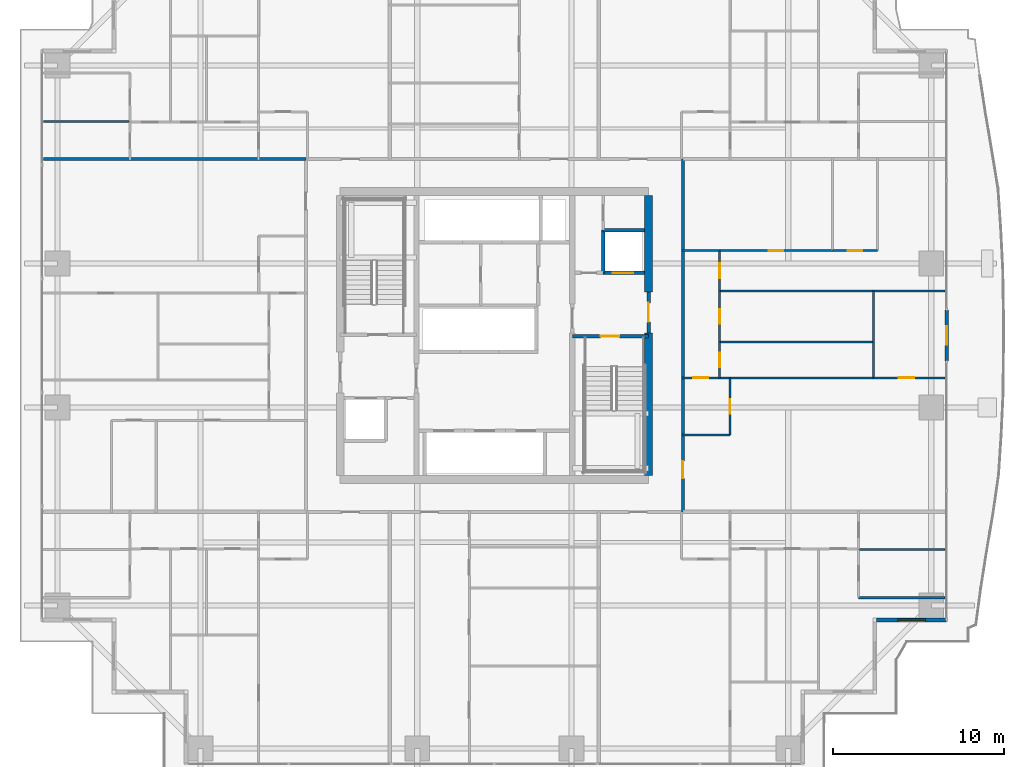
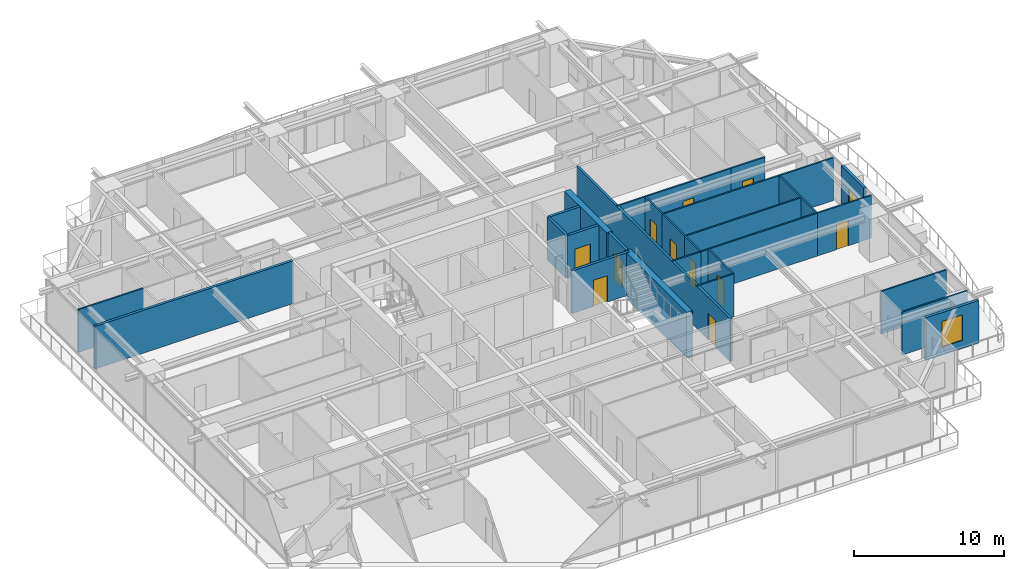
# One storey, part 29 of 37: 28 walls, 13 doors, 1 window, 14 openings.
"""IFC4 building model written with IfcOpenShell, lengths in metres."""

from ifc_helpers import new_model, si_unit, direction, frame, frame_2d, origin, place, context, subcontext, project, spatial, rectangle, extrude, source, transform, mapped, material, layer, layer_set, type_object, element, fill, save


model = new_model("IFC4")

# Units and contexts
model_context = context("Model", 3, precision=1e-05, world=origin(), true_north=direction((0.0, 1.0)))
body_context = subcontext(model_context, "Body", "Model", "MODEL_VIEW")
ifc_project = project(units=[si_unit("LENGTHUNIT", "METRE"), si_unit("AREAUNIT", "SQUARE_METRE"), si_unit("VOLUMEUNIT", "CUBIC_METRE"), si_unit("PLANEANGLEUNIT", "RADIAN"), si_unit("MASSUNIT", "GRAM", prefix="KILO")], contexts=[model_context])

# Site, building, storey
site_placement = place(None, origin())
site = spatial("IfcSite", under=ifc_project, at=site_placement, CompositionType="ELEMENT")
building_placement = place(site_placement, origin())
building = spatial("IfcBuilding", under=site, at=building_placement, Name="Serunith Strait Residences", CompositionType="ELEMENT")
storey_placement = place(building_placement, frame((0.0, 0.0, 34.199951171875)))
storey = spatial("IfcBuildingStorey", under=building, at=storey_placement, Name="L07", CompositionType="ELEMENT", Elevation=34.199951171875)

# Wall, opening, window
ifc_material_1 = material(Name="Pale-Champagne Aluminium Insulated Panel", Category="aluminium")
ifc_layer_1 = layer(ifc_material_1, 0.219970703125, Name="Pale-Champagne Aluminium Insulated Panel")
ifc_layer_set_1 = layer_set([ifc_layer_1], Name="Pale-Champagne Aluminium Insulated Panel")
wall_type_1 = type_object("IfcWallType", Name="EW-ALUM-220", PredefinedType="ELEMENTEDWALL", material=ifc_layer_set_1)
wall_1_placement = place(storey_placement, frame((54.7099609375, 8.60009765625, 0.0), z_axis=(0.0, 0.0, 1.0), x_axis=(1.0, 0.0, 0.0)))
wall_1 = element("IfcWall", 1, at=wall_1_placement, inside=storey, type_object=wall_type_1, Name="L07 Girih Serrated Corner Wall 05", PredefinedType="ELEMENTEDWALL", context=body_context, shape_type="SweptSolid", body=[
    extrude(rectangle(XDim=4.090087890625, YDim=0.219970703125, at=frame_2d((2.044921875, 0.0))), origin(), (0.0, 0.0, 1.0), 3.47509765625),
])
opening_1_placement = place(wall_1_placement, frame((1.2451171875, 0.0, 0.64990234375)))
opening_1 = element("IfcOpeningElement", 2, at=opening_1_placement, cuts=wall_1, Name="Opening W-02", PredefinedType="OPENING", context=body_context, shape_type="SweptSolid", body=[
    extrude(rectangle(XDim=1.60009765625, YDim=2.10009765625, at=frame_2d((0.800048828125, 1.050048828125))), frame((0.0, 0.1201171875, 0.0), z_axis=(0.0, -1.0, 0.0), x_axis=(1.0, 0.0, 0.0)), (0.0, 0.0, 1.0), 0.239990234375),
])
ifc_material_2 = material(Name="Ceramic-Fritted Operable Aluminium Window Glass", Category="aluminium")
window_type = type_object("IfcWindowType", Name="WIN-C2", PartitioningType="DOUBLE_PANEL_VERTICAL", PredefinedType="WINDOW", material=ifc_material_2)
shared_shape_1 = source(origin(), body_context, "Body", "SweptSolid", [
    extrude(rectangle(XDim=1.60009765625, YDim=2.10009765625, at=frame_2d((0.800048828125, 1.050048828125))), frame((0.0, 0.030029296875, 0.0), z_axis=(0.0, -1.0, 0.0), x_axis=(1.0, 0.0, 0.0)), (0.0, 0.0, 1.0), 0.06005859375),
])
window_placement = place(opening_1_placement, origin())
window = element("IfcWindow", 3, at=window_placement, inside=storey, type_object=window_type, Name="L07 Corner Operable Fritted Window 05", OverallHeight=2.10009765625, OverallWidth=1.60009765625, PartitioningType="SINGLE_PANEL", PredefinedType="WINDOW", context=body_context, shape_type="MappedRepresentation", body=[
    mapped(shared_shape_1, transform((0.0, 0.0, 0.0), scale=1.0)),
])
fill(opening_1, window)

# Wall, opening, door
wall_2_placement = place(storey_placement, frame((58.800048828125, 23.699951171875, 0.0), z_axis=(0.0, 0.0, 1.0), x_axis=(0.0, 1.0, 0.0)))
wall_2 = element("IfcWall", 4, at=wall_2_placement, inside=storey, type_object=wall_type_1, Name="L07 E Facade Pier Wall", PredefinedType="ELEMENTEDWALL", context=body_context, shape_type="SweptSolid", body=[
    extrude(rectangle(XDim=3.0, YDim=0.219970703125, at=frame_2d((1.5, 0.0))), origin(), (0.0, 0.0, 1.0), 3.47509765625),
])
opening_2_placement = place(wall_2_placement, frame((0.949951171875, 0.0, 0.0)))
opening_2 = element("IfcOpeningElement", 5, at=opening_2_placement, cuts=wall_2, Name="Opening ED-03", PredefinedType="OPENING", context=body_context, shape_type="SweptSolid", body=[
    extrude(rectangle(XDim=1.10009765625, YDim=2.199951171875, at=frame_2d((0.550048828125, 1.10009765625))), frame((0.0, 0.1201171875, 0.0), z_axis=(0.0, -1.0, 0.0), x_axis=(1.0, 0.0, 0.0)), (0.0, 0.0, 1.0), 0.239990234375),
])
ifc_material_3 = material(Name="Thermally-Broken Aluminium Glazed Balcony Door", Category="aluminium")
door_type_1 = type_object("IfcDoorType", Name="ED-BALC-1100", OperationType="NOTDEFINED", PredefinedType="DOOR", material=ifc_material_3)
shared_shape_2 = source(origin(), body_context, "Body", "SweptSolid", [
    extrude(rectangle(XDim=1.10009765625, YDim=2.199951171875, at=frame_2d((0.550048828125, 1.10009765625))), frame((0.0, 0.02490234375, 0.0), z_axis=(0.0, -1.0, 0.0), x_axis=(1.0, 0.0, 0.0)), (0.0, 0.0, 1.0), 0.050048828125),
])
door_1_placement = place(opening_2_placement, origin())
door_1 = element("IfcDoor", 6, at=door_1_placement, inside=storey, type_object=door_type_1, Name="L07 E Vertical-Forest Balcony Door", OperationType="SINGLE_SWING_RIGHT", OverallHeight=2.199951171875, OverallWidth=1.10009765625, PredefinedType="DOOR", context=body_context, shape_type="MappedRepresentation", body=[
    mapped(shared_shape_2, transform((0.0, 0.0, 0.0), scale=1.0)),
])
fill(opening_2, door_1)

ifc_material_4 = material(Name="Fire-rated acoustic gypsum partition")
ifc_layer_2 = layer(ifc_material_4, 0.179931640625, Name="Fire-rated acoustic gypsum partition")
ifc_layer_set_2 = layer_set([ifc_layer_2], Name="Fire-rated acoustic gypsum partition")
wall_type_2 = type_object("IfcWallType", Name="IW-CORR-180", PredefinedType="PARTITIONING", material=ifc_layer_set_2)
wall_3_placement = place(storey_placement, frame((43.39990234375, 14.89990234375, 0.0), z_axis=(0.0, 0.0, 1.0), x_axis=(0.0, 1.0, 0.0)))
wall_3 = element("IfcWall", 7, at=wall_3_placement, inside=storey, type_object=wall_type_2, Name="L07 Partition Wall 026", PredefinedType="PARTITIONING", context=body_context, shape_type="SweptSolid", body=[
    extrude(rectangle(XDim=20.60009765625, YDim=0.179931640625, at=frame_2d((10.300048828125, 0.0))), origin(), (0.0, 0.0, 1.0), 3.489990234375),
])
opening_3_placement = place(wall_3_placement, frame((1.9599609375, 0.0, 0.0)))
opening_3 = element("IfcOpeningElement", 8, at=opening_3_placement, cuts=wall_3, Name="Opening D-APT1000", PredefinedType="OPENING", context=body_context, shape_type="SweptSolid", body=[
    extrude(rectangle(XDim=1.0, YDim=2.14990234375, at=frame_2d((0.5, 1.074951171875))), frame((0.0, 0.10009765625, 0.0), z_axis=(0.0, -1.0, 0.0), x_axis=(1.0, 0.0, 0.0)), (0.0, 0.0, 1.0), 0.199951171875),
])
ifc_material_5 = material(Name="Solid timber engineered fire door", Category="wood")
door_type_2 = type_object("IfcDoorType", Name="ID-APT-1000", OperationType="NOTDEFINED", PredefinedType="DOOR", material=ifc_material_5)
shared_shape_3 = source(origin(), body_context, "Body", "SweptSolid", [
    extrude(rectangle(XDim=1.0, YDim=2.14990234375, at=frame_2d((0.5, 1.074951171875))), frame((0.0, 0.02490234375, 0.0), z_axis=(0.0, -1.0, 0.0), x_axis=(1.0, 0.0, 0.0)), (0.0, 0.0, 1.0), 0.050048828125),
])
door_2_placement = place(opening_3_placement, origin())
door_2 = element("IfcDoor", 9, at=door_2_placement, inside=storey, type_object=door_type_2, Name="L07 Unit 08 Entrance Door", OperationType="SINGLE_SWING_LEFT", OverallHeight=2.14990234375, OverallWidth=1.0, PredefinedType="DOOR", context=body_context, shape_type="MappedRepresentation", body=[
    mapped(shared_shape_3, transform((0.0, 0.0, 0.0), scale=1.0)),
])
fill(opening_3, door_2)

# Walls
ifc_material_6 = material(Name="Lightweight steel-stud gypsum partition", Category="steel")
ifc_layer_3 = layer(ifc_material_6, 0.1201171875, Name="Lightweight steel-stud gypsum partition")
ifc_layer_set_3 = layer_set([ifc_layer_3], Name="Lightweight steel-stud gypsum partition")
wall_type_3 = type_object("IfcWallType", Name="IW-PART-120", PredefinedType="PARTITIONING", material=ifc_layer_set_3)
wall_4_placement = place(storey_placement, frame((53.659912109375, 9.89404296875, 0.0), z_axis=(0.0, 0.0, 1.0), x_axis=(1.0, 0.0, 0.0)))
element("IfcWall", 10, at=wall_4_placement, inside=storey, type_object=wall_type_3, Name="L07 Partition Wall 060", PredefinedType="PARTITIONING", context=body_context, shape_type="SweptSolid", body=[
    extrude(rectangle(XDim=5.045166015625, YDim=0.1201171875, at=frame_2d((2.5224609375, 0.0))), origin(), (0.0, 0.0, 1.0), 3.489990234375),
])
for number, where, z_axis, x_axis, name in (
    (11, (53.662109375, 12.701904296875, 0.0), (0.0, 0.0, 1.0), (1.0, 0.0, 0.0), "L07 Partition Wall 061"),
    (12, (6.094970703125, 37.697998046875, 0.0), (0.0, 0.0, 1.0), (1.0, 0.0, 0.0), "L07 Partition Wall 076"),
):
    element("IfcWall", number, at=place(storey_placement, frame(where, z_axis=z_axis, x_axis=x_axis)), inside=storey, type_object=wall_type_3, Name=name, PredefinedType="PARTITIONING", context=body_context, shape_type="SweptSolid", body=[
        extrude(rectangle(XDim=5.04296875, YDim=0.1201171875, at=frame_2d((2.521484375, 0.0))), origin(), (0.0, 0.0, 1.0), 3.489990234375),
    ])

# Wall, opening, door
wall_5_placement = place(storey_placement, frame((46.14990234375, 19.39990234375, 0.0), z_axis=(0.0, 0.0, 1.0), x_axis=(0.0, 1.0, 0.0)))
wall_5 = element("IfcWall", 13, at=wall_5_placement, inside=storey, type_object=wall_type_3, Name="L07 Partition Wall 117", PredefinedType="PARTITIONING", context=body_context, shape_type="SweptSolid", body=[
    extrude(rectangle(XDim=3.330078125, YDim=0.1201171875, at=frame_2d((1.6650390625, 0.0))), origin(), (0.0, 0.0, 1.0), 3.489990234375),
])
opening_4_placement = place(wall_5_placement, frame((1.239990234375, 0.0, 0.0)))
opening_4 = element("IfcOpeningElement", 14, at=opening_4_placement, cuts=wall_5, Name="Opening D-RM850", PredefinedType="OPENING", context=body_context, shape_type="SweptSolid", body=[
    extrude(rectangle(XDim=0.85009765625, YDim=2.10009765625, at=frame_2d((0.425048828125, 1.050048828125))), frame((0.0, 0.070068359375, 0.0), z_axis=(0.0, -1.0, 0.0), x_axis=(1.0, 0.0, 0.0)), (0.0, 0.0, 1.0), 0.14013671875),
])
ifc_material_7 = material(Name="Engineered timber flush study and kitchen door", Category="wood")
door_type_3 = type_object("IfcDoorType", Name="ID-ROOM-850", OperationType="NOTDEFINED", PredefinedType="DOOR", material=ifc_material_7)
shared_shape_4 = source(origin(), body_context, "Body", "SweptSolid", [
    extrude(rectangle(XDim=0.85009765625, YDim=2.10009765625, at=frame_2d((0.425048828125, 1.050048828125))), frame((0.0, 0.02490234375, 0.0), z_axis=(0.0, -1.0, 0.0), x_axis=(1.0, 0.0, 0.0)), (0.0, 0.0, 1.0), 0.050048828125),
])
door_3_placement = place(opening_4_placement, origin())
door_3 = element("IfcDoor", 15, at=door_3_placement, inside=storey, type_object=door_type_3, Name="L07 Kitchen 0708 Door", OperationType="SINGLE_SWING_RIGHT", OverallHeight=2.10009765625, OverallWidth=0.85009765625, PredefinedType="DOOR", context=body_context, shape_type="MappedRepresentation", body=[
    mapped(shared_shape_4, transform((0.0, 0.0, 0.0), scale=1.0)),
])
fill(opening_4, door_3)

# Wall
wall_6_placement = place(storey_placement, frame((46.14990234375, 19.39990234375, 0.0), z_axis=(0.0, 0.0, 1.0), x_axis=(-1.0, 0.0, 0.0)))
element("IfcWall", 16, at=wall_6_placement, inside=storey, type_object=wall_type_3, Name="L07 Partition Wall 118", PredefinedType="PARTITIONING", context=body_context, shape_type="SweptSolid", body=[
    extrude(rectangle(XDim=2.809814453125, YDim=0.1201171875, at=frame_2d((1.40478515625, 0.0))), origin(), (0.0, 0.0, 1.0), 3.489990234375),
])

# Wall, opening, door
wall_7_placement = place(storey_placement, frame((45.550048828125, 22.72998046875, 0.0), z_axis=(0.0, 0.0, 1.0), x_axis=(-1.0, 0.0, 0.0)))
wall_7 = element("IfcWall", 17, at=wall_7_placement, inside=storey, type_object=wall_type_3, Name="L07 Partition Wall 119", PredefinedType="PARTITIONING", context=body_context, shape_type="SweptSolid", body=[
    extrude(rectangle(XDim=2.2099609375, YDim=0.1201171875, at=frame_2d((1.10498046875, 0.0))), origin(), (0.0, 0.0, 1.0), 3.489990234375),
])
opening_5_placement = place(wall_7_placement, frame((0.655029296875, 0.0, 0.0)))
opening_5 = element("IfcOpeningElement", 18, at=opening_5_placement, cuts=wall_7, Name="Opening D-RM900", PredefinedType="OPENING", context=body_context, shape_type="SweptSolid", body=[
    extrude(rectangle(XDim=0.89990234375, YDim=2.10009765625, at=frame_2d((0.449951171875, 1.050048828125))), frame((0.0, 0.070068359375, 0.0), z_axis=(0.0, -1.0, 0.0), x_axis=(1.0, 0.0, 0.0)), (0.0, 0.0, 1.0), 0.14013671875),
])
ifc_material_8 = material(Name="Engineered timber flush bedroom door", Category="wood")
door_type_4 = type_object("IfcDoorType", Name="ID-ROOM-900", OperationType="NOTDEFINED", PredefinedType="DOOR", material=ifc_material_8)
shared_shape_5 = source(origin(), body_context, "Body", "SweptSolid", [
    extrude(rectangle(XDim=0.89990234375, YDim=2.10009765625, at=frame_2d((0.449951171875, 1.050048828125))), frame((0.0, 0.02490234375, 0.0), z_axis=(0.0, -1.0, 0.0), x_axis=(1.0, 0.0, 0.0)), (0.0, 0.0, 1.0), 0.050048828125),
])
door_4_placement = place(opening_5_placement, origin())
door_4 = element("IfcDoor", 19, at=door_4_placement, inside=storey, type_object=door_type_4, Name="L07 Hall E 0708 Door", OperationType="SINGLE_SWING_LEFT", OverallHeight=2.10009765625, OverallWidth=0.89990234375, PredefinedType="DOOR", context=body_context, shape_type="MappedRepresentation", body=[
    mapped(shared_shape_5, transform((0.0, 0.0, 0.0), scale=1.0)),
])
fill(opening_5, door_4)

wall_8_placement = place(storey_placement, frame((58.705078125, 22.72998046875, 0.0), z_axis=(0.0, 0.0, 1.0), x_axis=(-1.0, 0.0, 0.0)))
wall_8 = element("IfcWall", 20, at=wall_8_placement, inside=storey, type_object=wall_type_3, Name="L07 Partition Wall 120", PredefinedType="PARTITIONING", context=body_context, shape_type="SweptSolid", body=[
    extrude(rectangle(XDim=4.1650390625, YDim=0.1201171875, at=frame_2d((2.08251953125, 0.0))), origin(), (0.0, 0.0, 1.0), 3.489990234375),
])
opening_6_placement = place(wall_8_placement, frame((1.7958984375, 0.0, 0.0)))
opening_6 = element("IfcOpeningElement", 21, at=opening_6_placement, cuts=wall_8, Name="Opening D-RM900", PredefinedType="OPENING", context=body_context, shape_type="SweptSolid", body=[
    extrude(rectangle(XDim=0.89990234375, YDim=2.10009765625, at=frame_2d((0.449951171875, 1.050048828125))), frame((0.0, 0.070068359375, 0.0), z_axis=(0.0, -1.0, 0.0), x_axis=(1.0, 0.0, 0.0)), (0.0, 0.0, 1.0), 0.14013671875),
])
door_5_placement = place(opening_6_placement, origin())
door_5 = element("IfcDoor", 22, at=door_5_placement, inside=storey, type_object=door_type_4, Name="L07 Study 1 0708 Door", OperationType="SINGLE_SWING_RIGHT", OverallHeight=2.10009765625, OverallWidth=0.89990234375, PredefinedType="DOOR", context=body_context, shape_type="MappedRepresentation", body=[
    mapped(shared_shape_5, transform((0.0, 0.0, 0.0), scale=1.0)),
])
fill(opening_6, door_5)

# Walls
wall_9_placement = place(storey_placement, frame((54.5380859375, 22.72998046875, 0.0), z_axis=(0.0, 0.0, 1.0), x_axis=(-1.0, 0.0, 0.0)))
element("IfcWall", 23, at=wall_9_placement, inside=storey, type_object=wall_type_3, Name="L07 Partition Wall 121", PredefinedType="PARTITIONING", context=body_context, shape_type="SweptSolid", body=[
    extrude(rectangle(XDim=8.986083984375, YDim=0.1201171875, at=frame_2d((4.4931640625, 0.0))), origin(), (0.0, 0.0, 1.0), 3.489990234375),
])
wall_10_placement = place(storey_placement, frame((54.5400390625, 22.72998046875, 0.0), z_axis=(0.0, 0.0, 1.0), x_axis=(0.0, 1.0, 0.0)))
element("IfcWall", 24, at=wall_10_placement, inside=storey, type_object=wall_type_3, Name="L07 Partition Wall 122", PredefinedType="PARTITIONING", context=body_context, shape_type="SweptSolid", body=[
    extrude(rectangle(XDim=5.070068359375, YDim=0.1201171875, at=frame_2d((2.53515625, 0.0))), origin(), (0.0, 0.0, 1.0), 3.489990234375),
])
wall_11_placement = place(storey_placement, frame((58.705078125, 27.800048828125, 0.0), z_axis=(0.0, 0.0, 1.0), x_axis=(-1.0, 0.0, 0.0)))
element("IfcWall", 25, at=wall_11_placement, inside=storey, type_object=wall_type_3, Name="L07 Partition Wall 123", PredefinedType="PARTITIONING", context=body_context, shape_type="SweptSolid", body=[
    extrude(rectangle(XDim=13.155029296875, YDim=0.1201171875, at=frame_2d((6.57763671875, 0.0))), origin(), (0.0, 0.0, 1.0), 3.489990234375),
])
wall_12_placement = place(storey_placement, frame((54.5400390625, 24.830078125, 0.0), z_axis=(0.0, 0.0, 1.0), x_axis=(-1.0, 0.0, 0.0)))
element("IfcWall", 26, at=wall_12_placement, inside=storey, type_object=wall_type_3, Name="L07 Partition Wall 124", PredefinedType="PARTITIONING", context=body_context, shape_type="SweptSolid", body=[
    extrude(rectangle(XDim=8.989990234375, YDim=0.1201171875, at=frame_2d((4.4951171875, 0.0))), origin(), (0.0, 0.0, 1.0), 3.489990234375),
])

# Wall, opening, door
wall_13_placement = place(storey_placement, frame((45.550048828125, 22.72998046875, 0.0), z_axis=(0.0, 0.0, 1.0), x_axis=(0.0, 1.0, 0.0)))
wall_13 = element("IfcWall", 27, at=wall_13_placement, inside=storey, type_object=wall_type_3, Name="L07 Partition Wall 125", PredefinedType="PARTITIONING", context=body_context, shape_type="SweptSolid", body=[
    extrude(rectangle(XDim=2.10009765625, YDim=0.1201171875, at=frame_2d((1.050048828125, 0.0))), origin(), (0.0, 0.0, 1.0), 3.489990234375),
])
opening_7_placement = place(wall_13_placement, frame((0.625, 0.0, 0.0)))
opening_7 = element("IfcOpeningElement", 28, at=opening_7_placement, cuts=wall_13, Name="Opening D-BTH850", PredefinedType="OPENING", context=body_context, shape_type="SweptSolid", body=[
    extrude(rectangle(XDim=0.85009765625, YDim=2.10009765625, at=frame_2d((0.425048828125, 1.050048828125))), frame((0.0, 0.070068359375, 0.0), z_axis=(0.0, -1.0, 0.0), x_axis=(1.0, 0.0, 0.0)), (0.0, 0.0, 1.0), 0.14013671875),
])
ifc_material_9 = material(Name="Moisture-resistant timber bathroom door", Category="wood")
door_type_5 = type_object("IfcDoorType", Name="ID-BATH-850", OperationType="NOTDEFINED", PredefinedType="DOOR", material=ifc_material_9)
door_6_placement = place(opening_7_placement, origin())
door_6 = element("IfcDoor", 29, at=door_6_placement, inside=storey, type_object=door_type_5, Name="L07 Bathroom 0708 Door", OperationType="SINGLE_SWING_LEFT", OverallHeight=2.10009765625, OverallWidth=0.85009765625, PredefinedType="DOOR", context=body_context, shape_type="MappedRepresentation", body=[
    mapped(shared_shape_4, transform((0.0, 0.0, 0.0), scale=1.0)),
])
fill(opening_7, door_6)

wall_14_placement = place(storey_placement, frame((45.550048828125, 24.83203125, 0.0), z_axis=(0.0, 0.0, 1.0), x_axis=(0.0, 1.0, 0.0)))
wall_14 = element("IfcWall", 30, at=wall_14_placement, inside=storey, type_object=wall_type_3, Name="L07 Partition Wall 126", PredefinedType="PARTITIONING", context=body_context, shape_type="SweptSolid", body=[
    extrude(rectangle(XDim=2.968017578125, YDim=0.1201171875, at=frame_2d((1.48388671875, 0.0))), origin(), (0.0, 0.0, 1.0), 3.489990234375),
])
opening_8_placement = place(wall_14_placement, frame((1.05908203125, 0.0, 0.0)))
opening_8 = element("IfcOpeningElement", 31, at=opening_8_placement, cuts=wall_14, Name="Opening D-RM850", PredefinedType="OPENING", context=body_context, shape_type="SweptSolid", body=[
    extrude(rectangle(XDim=0.85009765625, YDim=2.10009765625, at=frame_2d((0.425048828125, 1.050048828125))), frame((0.0, 0.070068359375, 0.0), z_axis=(0.0, -1.0, 0.0), x_axis=(1.0, 0.0, 0.0)), (0.0, 0.0, 1.0), 0.14013671875),
])
door_7_placement = place(opening_8_placement, origin())
door_7 = element("IfcDoor", 32, at=door_7_placement, inside=storey, type_object=door_type_3, Name="L07 Study 0708 Door", OperationType="SINGLE_SWING_RIGHT", OverallHeight=2.10009765625, OverallWidth=0.85009765625, PredefinedType="DOOR", context=body_context, shape_type="MappedRepresentation", body=[
    mapped(shared_shape_4, transform((0.0, 0.0, 0.0), scale=1.0)),
])
fill(opening_8, door_7)

wall_15_placement = place(storey_placement, frame((45.550048828125, 27.802001953125, 0.0), z_axis=(0.0, 0.0, 1.0), x_axis=(0.0, 1.0, 0.0)))
wall_15 = element("IfcWall", 33, at=wall_15_placement, inside=storey, type_object=wall_type_3, Name="L07 Partition Wall 127", PredefinedType="PARTITIONING", context=body_context, shape_type="SweptSolid", body=[
    extrude(rectangle(XDim=2.347900390625, YDim=0.1201171875, at=frame_2d((1.173828125, 0.0))), origin(), (0.0, 0.0, 1.0), 3.489990234375),
])
opening_9_placement = place(wall_15_placement, frame((0.72412109375, 0.0, 0.0)))
opening_9 = element("IfcOpeningElement", 34, at=opening_9_placement, cuts=wall_15, Name="Opening D-RM900", PredefinedType="OPENING", context=body_context, shape_type="SweptSolid", body=[
    extrude(rectangle(XDim=0.89990234375, YDim=2.10009765625, at=frame_2d((0.449951171875, 1.050048828125))), frame((0.0, 0.070068359375, 0.0), z_axis=(0.0, -1.0, 0.0), x_axis=(1.0, 0.0, 0.0)), (0.0, 0.0, 1.0), 0.14013671875),
])
door_8_placement = place(opening_9_placement, origin())
door_8 = element("IfcDoor", 35, at=door_8_placement, inside=storey, type_object=door_type_4, Name="L07 Master Bedroom E 0708 Door", OperationType="SINGLE_SWING_LEFT", OverallHeight=2.10009765625, OverallWidth=0.89990234375, PredefinedType="DOOR", context=body_context, shape_type="MappedRepresentation", body=[
    mapped(shared_shape_5, transform((0.0, 0.0, 0.0), scale=1.0)),
])
fill(opening_9, door_8)

wall_16_placement = place(storey_placement, frame((54.75, 30.14990234375, 0.0), z_axis=(0.0, 0.0, 1.0), x_axis=(-1.0, 0.0, 0.0)))
wall_16 = element("IfcWall", 36, at=wall_16_placement, inside=storey, type_object=wall_type_3, Name="L07 Partition Wall 130", PredefinedType="PARTITIONING", context=body_context, shape_type="SweptSolid", body=[
    extrude(rectangle(XDim=2.616943359375, YDim=0.1201171875, at=frame_2d((1.30859375, 0.0))), origin(), (0.0, 0.0, 1.0), 3.489990234375),
])
opening_10_placement = place(wall_16_placement, frame((0.883056640625, 0.0, 0.0)))
opening_10 = element("IfcOpeningElement", 37, at=opening_10_placement, cuts=wall_16, Name="Opening D-BTH850", PredefinedType="OPENING", context=body_context, shape_type="SweptSolid", body=[
    extrude(rectangle(XDim=0.85009765625, YDim=2.10009765625, at=frame_2d((0.425048828125, 1.050048828125))), frame((0.0, 0.070068359375, 0.0), z_axis=(0.0, -1.0, 0.0), x_axis=(1.0, 0.0, 0.0)), (0.0, 0.0, 1.0), 0.14013671875),
])
door_9_placement = place(opening_10_placement, origin())
door_9 = element("IfcDoor", 38, at=door_9_placement, inside=storey, type_object=door_type_5, Name="L07 En-suite Bathroom E 0708 Door", OperationType="SINGLE_SWING_RIGHT", OverallHeight=2.10009765625, OverallWidth=0.85009765625, PredefinedType="DOOR", context=body_context, shape_type="MappedRepresentation", body=[
    mapped(shared_shape_4, transform((0.0, 0.0, 0.0), scale=1.0)),
])
fill(opening_10, door_9)

wall_17_placement = place(storey_placement, frame((52.131103515625, 30.14990234375, 0.0), z_axis=(0.0, 0.0, 1.0), x_axis=(-1.0, 0.0, 0.0)))
wall_17 = element("IfcWall", 39, at=wall_17_placement, inside=storey, type_object=wall_type_3, Name="L07 Partition Wall 131", PredefinedType="PARTITIONING", context=body_context, shape_type="SweptSolid", body=[
    extrude(rectangle(XDim=6.5810546875, YDim=0.1201171875, at=frame_2d((3.29052734375, 0.0))), origin(), (0.0, 0.0, 1.0), 3.489990234375),
])
opening_11_placement = place(wall_17_placement, frame((2.865966796875, 0.0, 0.0)))
opening_11 = element("IfcOpeningElement", 40, at=opening_11_placement, cuts=wall_17, Name="Opening D-RM850", PredefinedType="OPENING", context=body_context, shape_type="SweptSolid", body=[
    extrude(rectangle(XDim=0.85009765625, YDim=2.10009765625, at=frame_2d((0.425048828125, 1.050048828125))), frame((0.0, 0.070068359375, 0.0), z_axis=(0.0, -1.0, 0.0), x_axis=(1.0, 0.0, 0.0)), (0.0, 0.0, 1.0), 0.14013671875),
])
door_10_placement = place(opening_11_placement, origin())
door_10 = element("IfcDoor", 41, at=door_10_placement, inside=storey, type_object=door_type_3, Name="L07 Wardrobe E 0708 Door", OperationType="SINGLE_SWING_LEFT", OverallHeight=2.10009765625, OverallWidth=0.85009765625, PredefinedType="DOOR", context=body_context, shape_type="MappedRepresentation", body=[
    mapped(shared_shape_4, transform((0.0, 0.0, 0.0), scale=1.0)),
])
fill(opening_11, door_10)

# Walls
wall_18_placement = place(storey_placement, frame((45.548095703125, 30.14990234375, 0.0), z_axis=(0.0, 0.0, 1.0), x_axis=(-1.0, 0.0, 0.0)))
element("IfcWall", 42, at=wall_18_placement, inside=storey, type_object=wall_type_3, Name="L07 Partition Wall 132", PredefinedType="PARTITIONING", context=body_context, shape_type="SweptSolid", body=[
    extrude(rectangle(XDim=2.2080078125, YDim=0.1201171875, at=frame_2d((1.10400390625, 0.0))), origin(), (0.0, 0.0, 1.0), 3.489990234375),
])
ifc_material_10 = material(Name="Twin-stud acoustic gypsum board partition")
ifc_layer_4 = layer(ifc_material_10, 0.199951171875, Name="Twin-stud acoustic gypsum board partition")
ifc_layer_set_4 = layer_set([ifc_layer_4], Name="Twin-stud acoustic gypsum board partition")
wall_type_4 = type_object("IfcWallType", Name="IW-PARTY-200", PredefinedType="PARTITIONING", material=ifc_layer_set_4)
wall_19_placement = place(storey_placement, frame((6.08203125, 35.5, 0.0), z_axis=(0.0, 0.0, 1.0), x_axis=(1.0, 0.0, 0.0)))
element("IfcWall", 43, at=wall_19_placement, inside=storey, type_object=wall_type_4, Name="L07 Partition Wall 021", PredefinedType="PARTITIONING", context=body_context, shape_type="SweptSolid", body=[
    extrude(rectangle(XDim=15.31787109375, YDim=0.199951171875, at=frame_2d((7.658935546875, 0.0))), origin(), (0.0, 0.0, 1.0), 3.489990234375),
])

# Wall, opening, door
ifc_material_11 = material(Name="Autoclaved aerated concrete blockwork", Category="masonry")
ifc_layer_5 = layer(ifc_material_11, 0.199951171875, Name="Autoclaved aerated concrete blockwork")
ifc_layer_set_5 = layer_set([ifc_layer_5], Name="Autoclaved aerated concrete blockwork")
wall_type_5 = type_object("IfcWallType", Name="IW-SHAFT-200", PredefinedType="STANDARD", material=ifc_layer_set_5)
wall_20_placement = place(storey_placement, frame((36.949951171875, 25.14990234375, 0.0), z_axis=(0.0, 0.0, 1.0), x_axis=(1.0, 0.0, 0.0)))
wall_20 = element("IfcWall", 44, at=wall_20_placement, inside=storey, type_object=wall_type_5, Name="L07 ST-2 North Shaft Wall", PredefinedType="STANDARD", context=body_context, shape_type="SweptSolid", body=[
    extrude(rectangle(XDim=4.449951171875, YDim=0.199951171875, at=frame_2d((2.22509765625, 0.0))), origin(), (0.0, 0.0, 1.0), 3.489990234375),
])
opening_12_placement = place(wall_20_placement, frame((1.64990234375, 0.0, 0.0)))
opening_12 = element("IfcOpeningElement", 45, at=opening_12_placement, cuts=wall_20, Name="Opening FD-1100", PredefinedType="OPENING", context=body_context, shape_type="SweptSolid", body=[
    extrude(rectangle(XDim=1.10009765625, YDim=2.14990234375, at=frame_2d((0.550048828125, 1.074951171875))), frame((0.0, 0.10986328125, 0.0), z_axis=(0.0, -1.0, 0.0), x_axis=(1.0, 0.0, 0.0)), (0.0, 0.0, 1.0), 0.219970703125),
])
ifc_material_12 = material(Name="Galvanised steel fire door leaf", Category="steel")
door_type_6 = type_object("IfcDoorType", Name="FD-STAIR-1100", OperationType="NOTDEFINED", PredefinedType="DOOR", material=ifc_material_12)
shared_shape_6 = source(origin(), body_context, "Body", "SweptSolid", [
    extrude(rectangle(XDim=1.10009765625, YDim=2.14990234375, at=frame_2d((0.550048828125, 1.074951171875))), frame((0.0, 0.02490234375, 0.0), z_axis=(0.0, -1.0, 0.0), x_axis=(1.0, 0.0, 0.0)), (0.0, 0.0, 1.0), 0.050048828125),
])
door_11_placement = place(opening_12_placement, origin())
door_11 = element("IfcDoor", 46, at=door_11_placement, inside=storey, type_object=door_type_6, Name="L07 ST-2 Escape Stair Door", OperationType="SINGLE_SWING_RIGHT", OverallHeight=2.14990234375, OverallWidth=1.10009765625, PredefinedType="DOOR", context=body_context, shape_type="MappedRepresentation", body=[
    mapped(shared_shape_6, transform((0.0, 0.0, 0.0), scale=1.0)),
])
fill(opening_12, door_11)

wall_21_placement = place(storey_placement, frame((38.75, 28.85009765625, 0.0), z_axis=(0.0, 0.0, 1.0), x_axis=(1.0, 0.0, 0.0)))
wall_21 = element("IfcWall", 47, at=wall_21_placement, inside=storey, type_object=wall_type_5, Name="L07 FL-2 South Shaft Wall", PredefinedType="STANDARD", context=body_context, shape_type="SweptSolid", body=[
    extrude(rectangle(XDim=2.425048828125, YDim=0.199951171875, at=frame_2d((1.21240234375, 0.0))), origin(), (0.0, 0.0, 1.0), 3.489990234375),
])
opening_13_placement = place(wall_21_placement, frame((0.550048828125, 0.0, 0.0)))
opening_13 = element("IfcOpeningElement", 48, at=opening_13_placement, cuts=wall_21, Name="Opening LD-FF1200", PredefinedType="OPENING", context=body_context, shape_type="SweptSolid", body=[
    extrude(rectangle(XDim=1.199951171875, YDim=2.199951171875, at=frame_2d((0.60009765625, 1.10009765625))), frame((0.0, 0.10986328125, 0.0), z_axis=(0.0, -1.0, 0.0), x_axis=(1.0, 0.0, 0.0)), (0.0, 0.0, 1.0), 0.219970703125),
])
ifc_material_13 = material(Name="Brushed stainless steel landing door", Category="steel")
door_type_7 = type_object("IfcDoorType", Name="LD-FF-1200", OperationType="DOUBLE_DOOR_SLIDING", PredefinedType="DOOR", material=ifc_material_13)
shared_shape_7 = source(origin(), body_context, "Body", "SweptSolid", [
    extrude(rectangle(XDim=1.199951171875, YDim=2.199951171875, at=frame_2d((0.60009765625, 1.10009765625))), frame((0.0, 0.02490234375, 0.0), z_axis=(0.0, -1.0, 0.0), x_axis=(1.0, 0.0, 0.0)), (0.0, 0.0, 1.0), 0.050048828125),
])
door_12_placement = place(opening_13_placement, origin())
door_12 = element("IfcDoor", 49, at=door_12_placement, inside=storey, type_object=door_type_7, Name="L07 FL-2 Landing Door", OperationType="DOUBLE_DOOR_SLIDING", OverallHeight=2.199951171875, OverallWidth=1.199951171875, PredefinedType="DOOR", context=body_context, shape_type="MappedRepresentation", body=[
    mapped(shared_shape_7, transform((0.0, 0.0, 0.0), scale=1.0)),
])
fill(opening_13, door_12)

# Walls
wall_22_placement = place(storey_placement, frame((38.75, 28.85009765625, 0.0), z_axis=(0.0, 0.0, 1.0), x_axis=(0.0, 1.0, 0.0)))
element("IfcWall", 50, at=wall_22_placement, inside=storey, type_object=wall_type_5, Name="L07 Partition Wall 004", PredefinedType="STANDARD", context=body_context, shape_type="SweptSolid", body=[
    extrude(rectangle(XDim=2.5, YDim=0.199951171875, at=frame_2d((1.25, 0.0))), origin(), (0.0, 0.0, 1.0), 3.489990234375),
])
wall_23_placement = place(storey_placement, frame((38.75, 31.35009765625, 0.0), z_axis=(0.0, 0.0, 1.0), x_axis=(1.0, 0.0, 0.0)))
element("IfcWall", 51, at=wall_23_placement, inside=storey, type_object=wall_type_5, Name="L07 Partition Wall 005", PredefinedType="STANDARD", context=body_context, shape_type="SweptSolid", body=[
    extrude(rectangle(XDim=2.425048828125, YDim=0.199951171875, at=frame_2d((1.21240234375, 0.0))), origin(), (0.0, 0.0, 1.0), 3.489990234375),
])

# Wall, opening, door
wall_24_placement = place(storey_placement, frame((41.39990234375, 25.35205078125, 0.0), z_axis=(0.0, 0.0, 1.0), x_axis=(0.0, 1.0, 0.0)))
wall_24 = element("IfcWall", 52, at=wall_24_placement, inside=storey, type_object=wall_type_5, Name="L07 Partition Wall 008", PredefinedType="STANDARD", context=body_context, shape_type="SweptSolid", body=[
    extrude(rectangle(XDim=2.39599609375, YDim=0.199951171875, at=frame_2d((1.197998046875, 0.0))), origin(), (0.0, 0.0, 1.0), 3.489990234375),
])
opening_14_placement = place(wall_24_placement, frame((0.64794921875, 0.0, 0.0)))
opening_14 = element("IfcOpeningElement", 53, at=opening_14_placement, cuts=wall_24, Name="Opening FD-FFL", PredefinedType="OPENING", context=body_context, shape_type="SweptSolid", body=[
    extrude(rectangle(XDim=1.10009765625, YDim=2.14990234375, at=frame_2d((0.550048828125, 1.074951171875))), frame((0.0, 0.10986328125, 0.0), z_axis=(0.0, -1.0, 0.0), x_axis=(1.0, 0.0, 0.0)), (0.0, 0.0, 1.0), 0.219970703125),
])
ifc_material_14 = material(Name="Glazed steel smoke-lobby fire door", Category="steel")
door_type_8 = type_object("IfcDoorType", Name="FD-FFL-1100", OperationType="NOTDEFINED", PredefinedType="DOOR", material=ifc_material_14)
door_13_placement = place(opening_14_placement, origin())
door_13 = element("IfcDoor", 54, at=door_13_placement, inside=storey, type_object=door_type_8, Name="L07 FFL-2 Corridor Fire Door", OperationType="SINGLE_SWING_RIGHT", OverallHeight=2.14990234375, OverallWidth=1.10009765625, PredefinedType="DOOR", context=body_context, shape_type="MappedRepresentation", body=[
    mapped(shared_shape_6, transform((0.0, 0.0, 0.0), scale=1.0)),
])
fill(opening_14, door_13)

# Walls
ifc_material_15 = material(Name="Concrete C80/95", Category="concrete")
ifc_layer_6 = layer(ifc_material_15, 0.449951171875, Name="Concrete C80/95")
ifc_layer_set_6 = layer_set([ifc_layer_6], Name="Concrete C80/95")
wall_type_6 = type_object("IfcWallType", Name="SW-450-C80", PredefinedType="SHEAR", material=ifc_layer_set_6)
wall_25_placement = place(storey_placement, frame((41.39990234375, 17.02490234375, -0.260009765625), z_axis=(0.0, 0.0, 1.0), x_axis=(0.0, 1.0, 0.0)))
element("IfcWall", 55, at=wall_25_placement, inside=storey, type_object=wall_type_6, Name="L07 Core East Shear Wall South Pier", PredefinedType="SHEAR", context=body_context, shape_type="SweptSolid", body=[
    extrude(rectangle(XDim=8.3251953125, YDim=0.449951171875, at=frame_2d((4.16259765625, 0.0))), origin(), (0.0, 0.0, 1.0), 3.748046875),
])
wall_26_placement = place(storey_placement, frame((41.39990234375, 27.75, -0.260009765625), z_axis=(0.0, 0.0, 1.0), x_axis=(0.0, 1.0, 0.0)))
element("IfcWall", 56, at=wall_26_placement, inside=storey, type_object=wall_type_6, Name="L07 Core East Shear Wall North Pier", PredefinedType="SHEAR", context=body_context, shape_type="SweptSolid", body=[
    extrude(rectangle(XDim=5.625, YDim=0.449951171875, at=frame_2d((2.8125, 0.0))), origin(), (0.0, 0.0, 1.0), 3.748046875),
])

save(model, "model.ifc")
